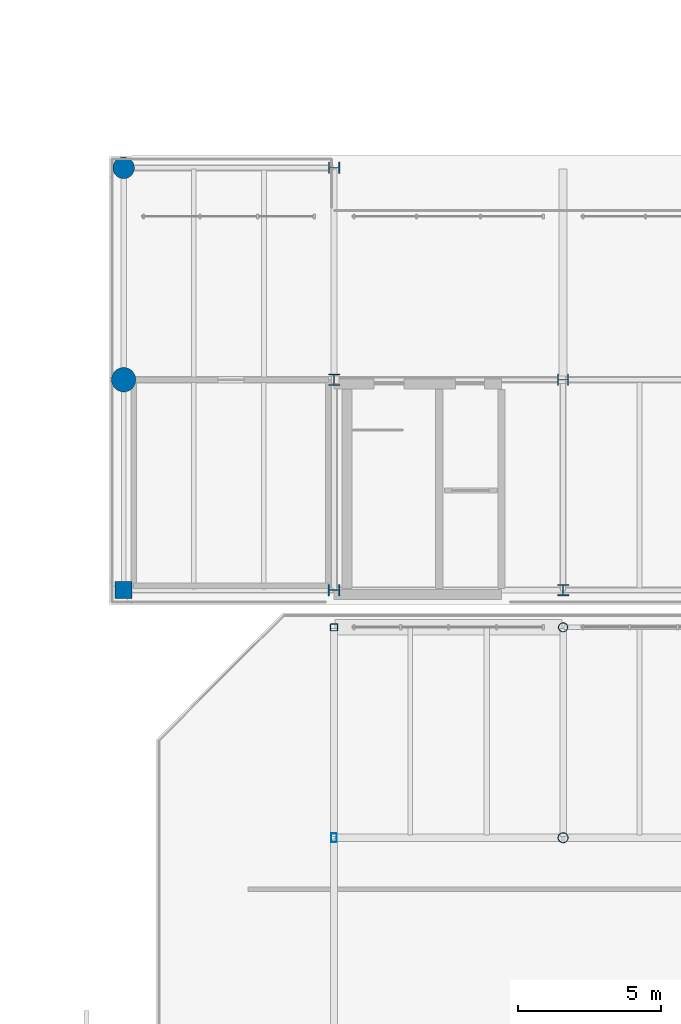
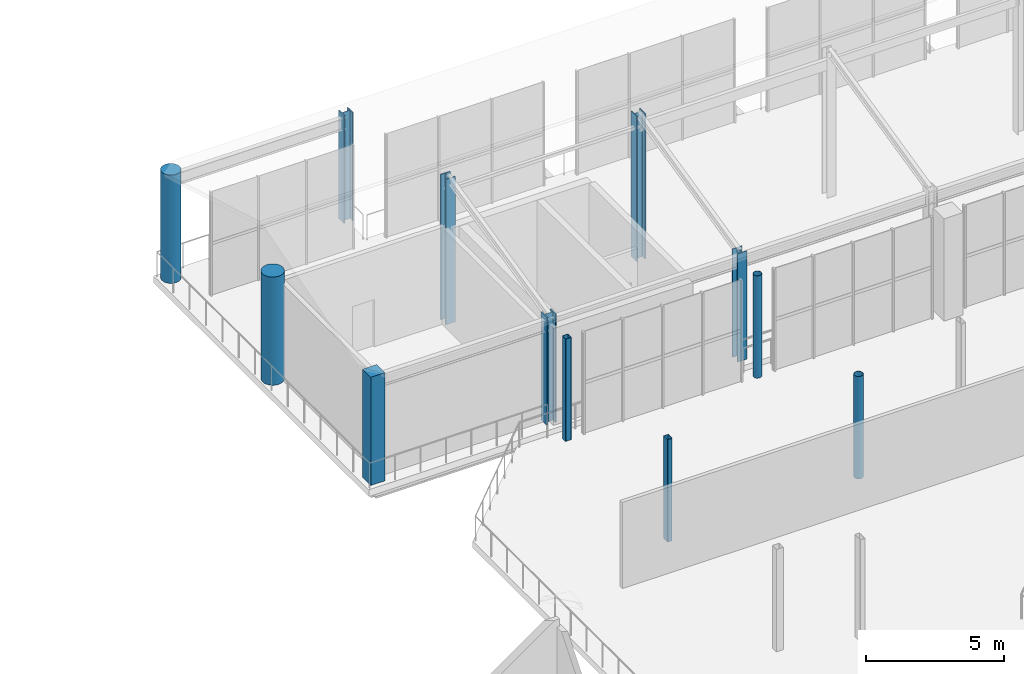
# One storey, part 14 of 70: 12 columns.
"""IFC4 building model written with IfcOpenShell, lengths in metres."""

from ifc_helpers import new_model, si_unit, direction, frame, origin, origin_2d, place, context, subcontext, project, spatial, rectangle, hollow_rectangle, circle, hollow_circle, i_section, extrude, material, material_profile, profile_set, type_object, element, save


model = new_model("IFC4")

# Units and contexts
model_context = context("Model", 3, precision=1e-05, world=origin(), true_north=direction((0.0, 1.0)))
body_context = subcontext(model_context, "Body", "Model", "MODEL_VIEW")
ifc_project = project(units=[si_unit("LENGTHUNIT", "METRE"), si_unit("AREAUNIT", "SQUARE_METRE"), si_unit("VOLUMEUNIT", "CUBIC_METRE"), si_unit("PLANEANGLEUNIT", "RADIAN"), si_unit("MASSUNIT", "GRAM", prefix="KILO")], contexts=[model_context])

# Site, building, storey
site_placement = place(None, origin())
site = spatial("IfcSite", under=ifc_project, at=site_placement, CompositionType="ELEMENT")
building_placement = place(site_placement, origin())
building = spatial("IfcBuilding", under=site, at=building_placement, Name="Brisemont Oceanarium", CompositionType="ELEMENT")
storey_placement = place(building_placement, frame((0.0, 0.0, 10.199951171875)))
storey = spatial("IfcBuildingStorey", under=building, at=storey_placement, Name="L02", CompositionType="ELEMENT", Elevation=10.199951171875)

# Columns
ifc_material_1 = material(Name="Structural Steel ASTM A500 Gr.C", Category="steel")
ifc_material_profile_1 = material_profile(ifc_material_1, hollow_circle(Radius=0.162109375, WallThickness=0.01171875, at=origin_2d()), Name="HSS12.750X0.500")
ifc_profile_set_1 = profile_set([ifc_material_profile_1], Name="Structural Steel ASTM A500 Gr.C")
column_type_1 = type_object("IfcColumnType", Name="COL-CHS12", PredefinedType="COLUMN", material=ifc_profile_set_1)
column_1_placement = place(storey_placement, frame((72.0, 79.35009765625, 0.0), z_axis=(0.0, 0.0, 1.0), x_axis=(1.0, 0.0, 0.0)))
element("IfcColumn", 1, at=column_1_placement, inside=storey, type_object=column_type_1, Name="V1 L02 column (2,6)", PredefinedType="COLUMN", context=body_context, shape_type="SweptSolid", body=[
    extrude(hollow_circle(Radius=0.162109375, WallThickness=0.01171875, at=origin_2d()), origin(), (0.0, 0.0, 1.0), 4.5400390625),
])
ifc_material_2 = material(Name="Structural Steel ASTM A500 Gr.C", Category="steel")
ifc_material_profile_2 = material_profile(ifc_material_2, hollow_circle(Radius=0.177978515625, WallThickness=0.01171875, at=origin_2d()), Name="HSS14.000X0.500")
ifc_profile_set_2 = profile_set([ifc_material_profile_2], Name="Structural Steel ASTM A500 Gr.C")
column_type_2 = type_object("IfcColumnType", Name="COL-CHS14", PredefinedType="COLUMN", material=ifc_profile_set_2)
column_2_placement = place(storey_placement, frame((72.0, 72.0, 0.0), z_axis=(0.0, 0.0, 1.0), x_axis=(0.0, 1.0, 0.0)))
element("IfcColumn", 2, at=column_2_placement, inside=storey, type_object=column_type_2, Name="V1 L02 column (2,5)", PredefinedType="COLUMN", context=body_context, shape_type="SweptSolid", body=[
    extrude(hollow_circle(Radius=0.177978515625, WallThickness=0.01171875, at=origin_2d()), origin(), (0.0, 0.0, 1.0), 4.5400390625),
])
ifc_material_3 = material(Name="Structural Steel ASTM A500 Gr.C", Category="steel")
ifc_material_profile_3 = material_profile(ifc_material_3, hollow_rectangle(XDim=0.25390625, YDim=0.25390625, WallThickness=0.01171875, InnerFilletRadius=0.01220703125, OuterFilletRadius=0.02392578125, at=origin_2d()), Name="HSS10X10X1/2")
ifc_profile_set_3 = profile_set([ifc_material_profile_3], Name="Structural Steel ASTM A500 Gr.C")
column_type_3 = type_object("IfcColumnType", Name="COL-HSS10X10", PredefinedType="COLUMN", material=ifc_profile_set_3)
column_3_placement = place(storey_placement, frame((64.0, 79.35009765625, 0.0), z_axis=(0.0, 0.0, 1.0), x_axis=(0.0, 1.0, 0.0)))
element("IfcColumn", 3, at=column_3_placement, inside=storey, type_object=column_type_3, Name="V1 L02 column (1,6)", PredefinedType="COLUMN", context=body_context, shape_type="SweptSolid", body=[
    extrude(hollow_rectangle(XDim=0.25390625, YDim=0.25390625, WallThickness=0.01171875, InnerFilletRadius=0.01220703125, OuterFilletRadius=0.02392578125, at=origin_2d()), origin(), (0.0, 0.0, 1.0), 4.5400390625),
])
ifc_material_4 = material(Name="Structural Steel ASTM A500 Gr.C", Category="steel")
ifc_material_profile_4 = material_profile(ifc_material_4, hollow_rectangle(XDim=0.202880859375, YDim=0.304931640625, WallThickness=0.0087890625, InnerFilletRadius=0.009033203125, OuterFilletRadius=0.01806640625, at=origin_2d()), Name="HSS12X8X3/8")
ifc_profile_set_4 = profile_set([ifc_material_profile_4], Name="Structural Steel ASTM A500 Gr.C")
column_type_4 = type_object("IfcColumnType", Name="COL-HSS12X8", PredefinedType="COLUMN", material=ifc_profile_set_4)
column_4_placement = place(storey_placement, frame((64.0, 72.0, 0.0), z_axis=(0.0, 0.0, 1.0), x_axis=(1.0, 0.0, 0.0)))
element("IfcColumn", 4, at=column_4_placement, inside=storey, type_object=column_type_4, Name="V1 L02 column (1,5)", PredefinedType="COLUMN", context=body_context, shape_type="SweptSolid", body=[
    extrude(hollow_rectangle(XDim=0.202880859375, YDim=0.304931640625, WallThickness=0.0087890625, InnerFilletRadius=0.009033203125, OuterFilletRadius=0.01806640625, at=origin_2d()), origin(), (0.0, 0.0, 1.0), 4.5400390625),
])
ifc_material_5 = material(Name="Concrete C35/45", Category="concrete")
ifc_material_profile_5 = material_profile(ifc_material_5, rectangle(XDim=0.60009765625, YDim=0.60009765625, at=origin_2d()), Name="RC-COL-600X600")
ifc_profile_set_5 = profile_set([ifc_material_profile_5], Name="Concrete C35/45")
column_type_5 = type_object("IfcColumnType", Name="COL-RC600", PredefinedType="COLUMN", material=ifc_profile_set_5)
column_5_placement = place(storey_placement, frame((56.64990234375, 80.64990234375, 0.0), z_axis=(0.0, 0.0, 1.0), x_axis=(1.0, 0.0, 0.0)))
element("IfcColumn", 5, at=column_5_placement, inside=storey, type_object=column_type_5, Name="V7E L02 column (0,0)", PredefinedType="COLUMN", context=body_context, shape_type="SweptSolid", body=[
    extrude(rectangle(XDim=0.60009765625, YDim=0.60009765625, at=origin_2d()), origin(), (0.0, 0.0, 1.0), 4.800048828125),
])
ifc_material_6 = material(Name="Concrete C40/50", Category="concrete")
ifc_material_profile_6 = material_profile(ifc_material_6, circle(Radius=0.375, at=origin_2d()), Name="RC-COL-D750")
ifc_profile_set_6 = profile_set([ifc_material_profile_6], Name="Concrete C40/50")
column_type_6 = type_object("IfcColumnType", Name="COL-RCD750", PredefinedType="COLUMN", material=ifc_profile_set_6)
column_6_placement = place(storey_placement, frame((56.64990234375, 95.39990234375, 0.0), z_axis=(0.0, 0.0, 1.0), x_axis=(1.0, 0.0, 0.0)))
element("IfcColumn", 6, at=column_6_placement, inside=storey, type_object=column_type_6, Name="V7E L02 column (0,2)", PredefinedType="COLUMN", context=body_context, shape_type="SweptSolid", body=[
    extrude(circle(Radius=0.375, at=origin_2d()), origin(), (0.0, 0.0, 1.0), 4.800048828125),
])
ifc_material_7 = material(Name="Concrete C40/50", Category="concrete")
ifc_material_profile_7 = material_profile(ifc_material_7, circle(Radius=0.425048828125, at=origin_2d()), Name="RC-COL-D850")
ifc_profile_set_7 = profile_set([ifc_material_profile_7], Name="Concrete C40/50")
column_type_7 = type_object("IfcColumnType", Name="COL-RCD850", PredefinedType="COLUMN", material=ifc_profile_set_7)
column_7_placement = place(storey_placement, frame((56.64990234375, 88.0, 0.0), z_axis=(0.0, 0.0, 1.0), x_axis=(0.0, 1.0, 0.0)))
element("IfcColumn", 7, at=column_7_placement, inside=storey, type_object=column_type_7, Name="V7E L02 column (0,1)", PredefinedType="COLUMN", context=body_context, shape_type="SweptSolid", body=[
    extrude(circle(Radius=0.425048828125, at=origin_2d()), origin(), (0.0, 0.0, 1.0), 4.800048828125),
])
ifc_material_8 = material(Name="Structural Steel ASTM A992 Gr.50", Category="steel")
ifc_material_profile_8 = material_profile(ifc_material_8, i_section(OverallWidth=0.39892578125, OverallDepth=0.385986328125, WebThickness=0.02099609375, FlangeThickness=0.033203125, FilletRadius=0.014892578125, at=origin_2d()), Name="W14X176")
ifc_profile_set_8 = profile_set([ifc_material_profile_8], Name="Structural Steel ASTM A992 Gr.50")
column_type_8 = type_object("IfcColumnType", Name="COL-W14X176", PredefinedType="COLUMN", material=ifc_profile_set_8)
column_8_placement = place(storey_placement, frame((72.0, 88.0, 0.0), z_axis=(0.0, 0.0, 1.0), x_axis=(0.0, 1.0, 0.0)))
element("IfcColumn", 8, at=column_8_placement, inside=storey, type_object=column_type_8, Name="V7E L02 column (2,1)", PredefinedType="COLUMN", context=body_context, shape_type="SweptSolid", body=[
    extrude(i_section(OverallWidth=0.39892578125, OverallDepth=0.385986328125, WebThickness=0.02099609375, FlangeThickness=0.033203125, FilletRadius=0.014892578125, at=origin_2d()), origin(), (0.0, 0.0, 1.0), 6.449951171875),
])
ifc_material_9 = material(Name="Structural Steel ASTM A992 Gr.50", Category="steel")
ifc_material_profile_9 = material_profile(ifc_material_9, i_section(OverallWidth=0.39990234375, OverallDepth=0.39306640625, WebThickness=0.022705078125, FlangeThickness=0.03662109375, FilletRadius=0.014892578125, at=origin_2d()), Name="W14X193")
ifc_profile_set_9 = profile_set([ifc_material_profile_9], Name="Structural Steel ASTM A992 Gr.50")
column_type_9 = type_object("IfcColumnType", Name="COL-W14X193", PredefinedType="COLUMN", material=ifc_profile_set_9)
column_9_placement = place(storey_placement, frame((72.0, 80.64990234375, 0.0), z_axis=(0.0, 0.0, 1.0), x_axis=(1.0, 0.0, 0.0)))
element("IfcColumn", 9, at=column_9_placement, inside=storey, type_object=column_type_9, Name="V7E L02 column (2,0)", PredefinedType="COLUMN", context=body_context, shape_type="SweptSolid", body=[
    extrude(i_section(OverallWidth=0.39990234375, OverallDepth=0.39306640625, WebThickness=0.022705078125, FlangeThickness=0.03662109375, FilletRadius=0.014892578125, at=origin_2d()), origin(), (0.0, 0.0, 1.0), 4.800048828125),
])
ifc_material_10 = material(Name="Structural Steel ASTM A992 Gr.50", Category="steel")
ifc_material_profile_10 = material_profile(ifc_material_10, i_section(OverallWidth=0.40087890625, OverallDepth=0.39892578125, WebThickness=0.02490234375, FlangeThickness=0.03955078125, FilletRadius=0.014892578125, at=origin_2d()), Name="W14X211")
ifc_profile_set_10 = profile_set([ifc_material_profile_10], Name="Structural Steel ASTM A992 Gr.50")
column_type_10 = type_object("IfcColumnType", Name="COL-W14X211", PredefinedType="COLUMN", material=ifc_profile_set_10)
column_10_placement = place(storey_placement, frame((64.0, 95.39990234375, 0.0), z_axis=(0.0, 0.0, 1.0), x_axis=(0.0, 1.0, 0.0)))
element("IfcColumn", 10, at=column_10_placement, inside=storey, type_object=column_type_10, Name="V7E L02 column (1,2)", PredefinedType="COLUMN", context=body_context, shape_type="SweptSolid", body=[
    extrude(i_section(OverallWidth=0.40087890625, OverallDepth=0.39892578125, WebThickness=0.02490234375, FlangeThickness=0.03955078125, FilletRadius=0.014892578125, at=origin_2d()), origin(), (0.0, 0.0, 1.0), 4.800048828125),
])
ifc_material_11 = material(Name="Structural Steel ASTM A992 Gr.50", Category="steel")
ifc_material_profile_11 = material_profile(ifc_material_11, i_section(OverallWidth=0.404052734375, OverallDepth=0.406982421875, WebThickness=0.027099609375, FlangeThickness=0.043701171875, FilletRadius=0.014892578125, at=origin_2d()), Name="W14X233")
ifc_profile_set_11 = profile_set([ifc_material_profile_11], Name="Structural Steel ASTM A992 Gr.50")
column_type_11 = type_object("IfcColumnType", Name="COL-W14X233", PredefinedType="COLUMN", material=ifc_profile_set_11)
column_11_placement = place(storey_placement, frame((64.0, 88.0, 0.0), z_axis=(0.0, 0.0, 1.0), x_axis=(1.0, 0.0, 0.0)))
element("IfcColumn", 11, at=column_11_placement, inside=storey, type_object=column_type_11, Name="V7E L02 column (1,1)", PredefinedType="COLUMN", context=body_context, shape_type="SweptSolid", body=[
    extrude(i_section(OverallWidth=0.404052734375, OverallDepth=0.406982421875, WebThickness=0.027099609375, FlangeThickness=0.043701171875, FilletRadius=0.014892578125, at=origin_2d()), origin(), (0.0, 0.0, 1.0), 6.449951171875),
])
ifc_material_12 = material(Name="Structural Steel ASTM A992 Gr.50", Category="steel")
ifc_material_profile_12 = material_profile(ifc_material_12, i_section(OverallWidth=0.406005859375, OverallDepth=0.416015625, WebThickness=0.02978515625, FlangeThickness=0.048095703125, FilletRadius=0.014892578125, at=origin_2d()), Name="W14X257")
ifc_profile_set_12 = profile_set([ifc_material_profile_12], Name="Structural Steel ASTM A992 Gr.50")
column_type_12 = type_object("IfcColumnType", Name="COL-W14X257", PredefinedType="COLUMN", material=ifc_profile_set_12)
column_12_placement = place(storey_placement, frame((64.0, 80.64990234375, 0.0), z_axis=(0.0, 0.0, 1.0), x_axis=(0.0, 1.0, 0.0)))
element("IfcColumn", 12, at=column_12_placement, inside=storey, type_object=column_type_12, Name="V7E L02 column (1,0)", PredefinedType="COLUMN", context=body_context, shape_type="SweptSolid", body=[
    extrude(i_section(OverallWidth=0.406005859375, OverallDepth=0.416015625, WebThickness=0.02978515625, FlangeThickness=0.048095703125, FilletRadius=0.014892578125, at=origin_2d()), origin(), (0.0, 0.0, 1.0), 4.800048828125),
])

save(model, "model.ifc")
